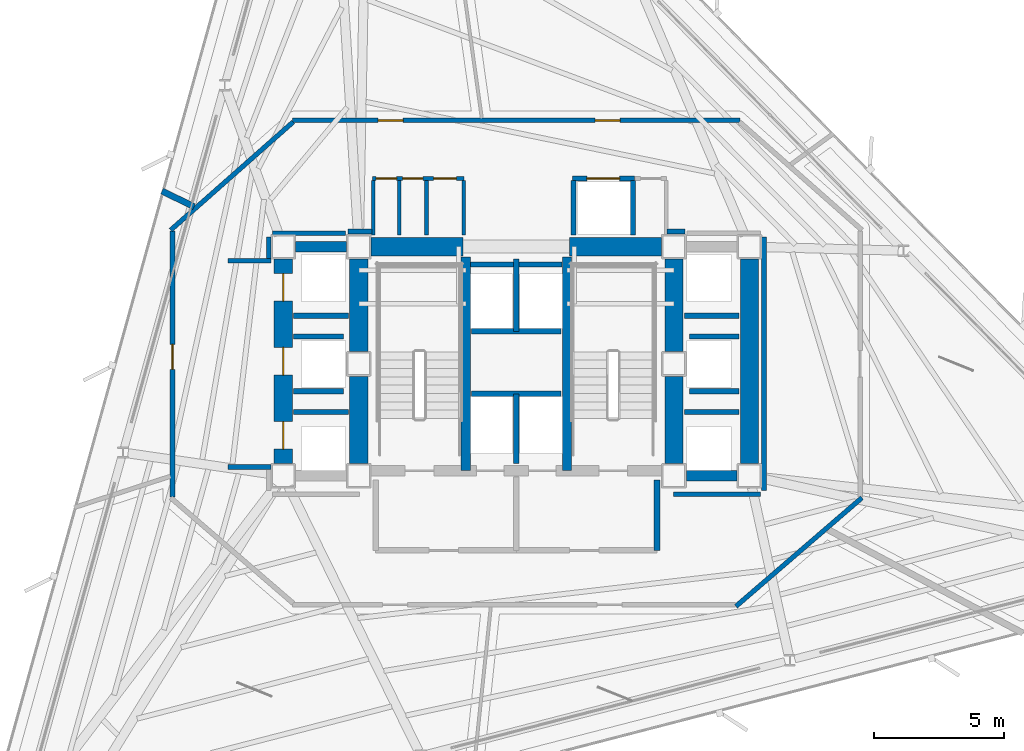
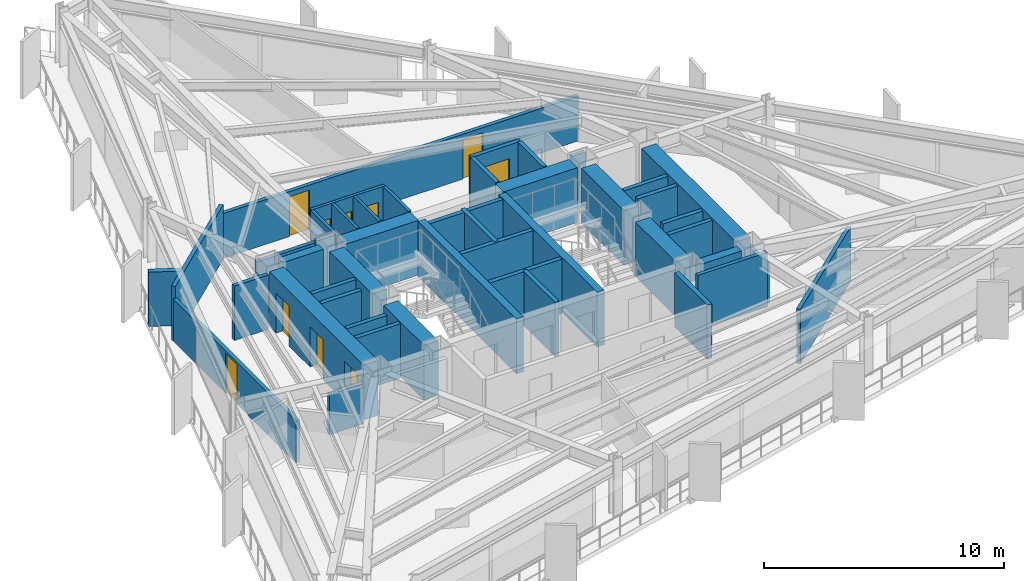
# One storey, part 7 of 11: 47 walls, 10 doors, 10 openings.
"""IFC4 building model written with IfcOpenShell, lengths in metres."""

from ifc_helpers import new_model, si_unit, direction, frame, frame_2d, origin, place, context, subcontext, project, spatial, rectangle, extrude, material, layer, layer_set, type_object, element, fill, save


model = new_model("IFC4")

# Units and contexts
model_context = context("Model", 3, precision=1e-05, world=origin(), true_north=direction((0.0, 1.0)))
body_context = subcontext(model_context, "Body", "Model", "MODEL_VIEW")
ifc_project = project(units=[si_unit("LENGTHUNIT", "METRE"), si_unit("AREAUNIT", "SQUARE_METRE"), si_unit("VOLUMEUNIT", "CUBIC_METRE"), si_unit("PLANEANGLEUNIT", "RADIAN"), si_unit("MASSUNIT", "GRAM", prefix="KILO")], contexts=[model_context])

# Site, building, storey
site_placement = place(None, origin())
site = spatial("IfcSite", under=ifc_project, at=site_placement, CompositionType="ELEMENT")
building_placement = place(site_placement, origin())
building = spatial("IfcBuilding", under=site, at=building_placement, Name="Rocaltana Carrier Exchange", CompositionType="ELEMENT")
storey_placement = place(building_placement, frame((0.0, 0.0, 88.639892578125)))
storey = spatial("IfcBuildingStorey", under=building, at=storey_placement, Name="L27", CompositionType="ELEMENT", Elevation=88.639892578125)

# Walls
ifc_material_1 = material(Name="Concrete C50/60", Category="concrete")
ifc_layer_1 = layer(ifc_material_1, 0.35009765625)
ifc_layer_set_1 = layer_set([ifc_layer_1], Name="Concrete C50/60")
wall_type_1 = type_object("IfcWallType", Name="Core Internal Shear Wall 350", PredefinedType="SHEAR", material=ifc_layer_set_1)
for number, where, z_axis, x_axis, name in (
    (1, (-1.93994140625, -4.10009765625, 0.0), (0.0, 0.0, 1.0), (0.0, 1.0, 0.0), "L27 Core Shear Wall CW-STW"),
    (2, (1.93994140625, -4.10009765625, 0.0), (0.0, 0.0, 1.0), (0.0, 1.0, 0.0), "L27 Core Shear Wall CW-STE"),
):
    element("IfcWall", number, at=place(storey_placement, frame(where, z_axis=z_axis, x_axis=x_axis)), inside=storey, type_object=wall_type_1, Name=name, PredefinedType="SHEAR", context=body_context, shape_type="SweptSolid", body=[
        extrude(rectangle(XDim=8.2001953125, YDim=0.35009765625, at=frame_2d((4.10009765625, 0.0))), origin(), (0.0, 0.0, 1.0), 2.7880859375),
    ])
ifc_material_2 = material(Name="Concrete C50/60", Category="concrete")
ifc_layer_2 = layer(ifc_material_2, 0.39990234375)
ifc_layer_set_2 = layer_set([ifc_layer_2], Name="Concrete C50/60")
wall_type_2 = type_object("IfcWallType", Name="Core Internal Shear Wall 400", PredefinedType="SHEAR", material=ifc_layer_set_2)
for number, where, z_axis, x_axis, name in (
    (3, (-8.47509765625, 4.5, 0.0), (0.0, 0.0, 1.0), (1.0, 0.0, 0.0), "L27 Core Shear Wall CW-WWN"),
    (4, (6.52490234375, -4.300048828125, 0.0), (0.0, 0.0, 1.0), (1.0, 0.0, 0.0), "L27 Core Shear Wall CW-EWS"),
):
    element("IfcWall", number, at=place(storey_placement, frame(where, z_axis=z_axis, x_axis=x_axis)), inside=storey, type_object=wall_type_2, Name=name, PredefinedType="SHEAR", context=body_context, shape_type="SweptSolid", body=[
        extrude(rectangle(XDim=1.9501953125, YDim=0.39990234375, at=frame_2d((0.97509765625, 0.0))), origin(), (0.0, 0.0, 1.0), 2.7880859375),
    ])
ifc_material_3 = material(Name="Concrete C60/75", Category="concrete")
ifc_layer_3 = layer(ifc_material_3, 0.699951171875)
ifc_layer_set_3 = layer_set([ifc_layer_3], Name="Concrete C60/75")
wall_type_3 = type_object("IfcWallType", Name="Core Shear Wall 700", PredefinedType="SHEAR", material=ifc_layer_set_3)
wall_1_placement = place(storey_placement, frame((-6.050048828125, 0.47509765625, 0.0), z_axis=(0.0, 0.0, 1.0), x_axis=(0.0, 1.0, 0.0)))
element("IfcWall", 5, at=wall_1_placement, inside=storey, type_object=wall_type_3, Name="L27 Core Shear Wall CW-WN", PredefinedType="SHEAR", context=body_context, shape_type="SweptSolid", body=[
    extrude(rectangle(XDim=3.5498046875, YDim=0.699951171875, at=frame_2d((1.77490234375, 0.0))), origin(), (0.0, 0.0, 1.0), 2.7880859375),
])
wall_2_placement = place(storey_placement, frame((-6.050048828125, -3.824951171875, 0.0), z_axis=(0.0, 0.0, 1.0), x_axis=(0.0, 1.0, 0.0)))
element("IfcWall", 6, at=wall_2_placement, inside=storey, type_object=wall_type_3, Name="L27 Core Shear Wall CW-WS", PredefinedType="SHEAR", context=body_context, shape_type="SweptSolid", body=[
    extrude(rectangle(XDim=3.349853515625, YDim=0.699951171875, at=frame_2d((1.6748046875, 0.0))), origin(), (0.0, 0.0, 1.0), 2.7880859375),
])
wall_3_placement = place(storey_placement, frame((6.050048828125, 0.47509765625, 0.0), z_axis=(0.0, 0.0, 1.0), x_axis=(0.0, 1.0, 0.0)))
element("IfcWall", 7, at=wall_3_placement, inside=storey, type_object=wall_type_3, Name="L27 Core Shear Wall CW-EN", PredefinedType="SHEAR", context=body_context, shape_type="SweptSolid", body=[
    extrude(rectangle(XDim=3.5498046875, YDim=0.699951171875, at=frame_2d((1.77490234375, 0.0))), origin(), (0.0, 0.0, 1.0), 2.7880859375),
])
wall_4_placement = place(storey_placement, frame((6.050048828125, -3.824951171875, 0.0), z_axis=(0.0, 0.0, 1.0), x_axis=(0.0, 1.0, 0.0)))
element("IfcWall", 8, at=wall_4_placement, inside=storey, type_object=wall_type_3, Name="L27 Core Shear Wall CW-ES", PredefinedType="SHEAR", context=body_context, shape_type="SweptSolid", body=[
    extrude(rectangle(XDim=3.349853515625, YDim=0.699951171875, at=frame_2d((1.6748046875, 0.0))), origin(), (0.0, 0.0, 1.0), 2.7880859375),
])
for number, where, z_axis, x_axis, name in (
    (9, (-5.574951171875, 4.5, 0.0), (0.0, 0.0, 1.0), (1.0, 0.0, 0.0), "L27 Core Shear Wall CW-N1"),
    (10, (2.050048828125, 4.5, 0.0), (0.0, 0.0, 1.0), (1.0, 0.0, 0.0), "L27 Core Shear Wall CW-N2"),
):
    element("IfcWall", number, at=place(storey_placement, frame(where, z_axis=z_axis, x_axis=x_axis)), inside=storey, type_object=wall_type_3, Name=name, PredefinedType="SHEAR", context=body_context, shape_type="SweptSolid", body=[
        extrude(rectangle(XDim=3.52490234375, YDim=0.699951171875, at=frame_2d((1.762451171875, 0.0))), origin(), (0.0, 0.0, 1.0), 2.7880859375),
    ])

# Wall, openings, doors
wall_5_placement = place(storey_placement, frame((-8.949951171875, -3.824951171875, 0.0), z_axis=(0.0, 0.0, 1.0), x_axis=(0.0, 1.0, 0.0)))
wall_5 = element("IfcWall", 11, at=wall_5_placement, inside=storey, type_object=wall_type_3, Name="L27 Core Shear Wall CW-WW", PredefinedType="SHEAR", context=body_context, shape_type="SweptSolid", body=[
    extrude(rectangle(XDim=7.849853515625, YDim=0.699951171875, at=frame_2d((3.9248046875, 0.0))), origin(), (0.0, 0.0, 1.0), 2.7880859375),
])
opening_1_placement = place(wall_5_placement, frame((0.550048828125, 0.0, 0.0)))
opening_1 = element("IfcOpeningElement", 12, at=opening_1_placement, cuts=wall_5, Name="Opening LD-110", PredefinedType="OPENING", context=body_context, shape_type="SweptSolid", body=[
    extrude(rectangle(XDim=1.06005859375, YDim=2.0400390625, at=frame_2d((0.530029296875, 1.02001953125))), frame((0.0, 0.35986328125, 0.0), z_axis=(0.0, -1.0, 0.0), x_axis=(1.0, 0.0, 0.0)), (0.0, 0.0, 1.0), 0.719970703125),
])
opening_2_placement = place(wall_5_placement, frame((3.39501953125, 0.0, 0.0)))
opening_2 = element("IfcOpeningElement", 13, at=opening_2_placement, cuts=wall_5, Name="Opening LD-110", PredefinedType="OPENING", context=body_context, shape_type="SweptSolid", body=[
    extrude(rectangle(XDim=1.06005859375, YDim=2.0400390625, at=frame_2d((0.530029296875, 1.02001953125))), frame((0.0, 0.35986328125, 0.0), z_axis=(0.0, -1.0, 0.0), x_axis=(1.0, 0.0, 0.0)), (0.0, 0.0, 1.0), 0.719970703125),
])
opening_3_placement = place(wall_5_placement, frame((6.22998046875, 0.0, 0.0)))
opening_3 = element("IfcOpeningElement", 14, at=opening_3_placement, cuts=wall_5, Name="Opening LD-110", PredefinedType="OPENING", context=body_context, shape_type="SweptSolid", body=[
    extrude(rectangle(XDim=1.06005859375, YDim=2.0400390625, at=frame_2d((0.530029296875, 1.02001953125))), frame((0.0, 0.35986328125, 0.0), z_axis=(0.0, -1.0, 0.0), x_axis=(1.0, 0.0, 0.0)), (0.0, 0.0, 1.0), 0.719970703125),
])
ifc_material_4 = material(Name="Brushed Stainless Sliding Door Leaf", Category="steel")
door_type_1 = type_object("IfcDoorType", Name="Lift Landing Sliding Door 1060x2040", OperationType="NOTDEFINED", PredefinedType="DOOR", material=ifc_material_4)
door_1_placement = place(opening_1_placement, origin())
door_1 = element("IfcDoor", 15, at=door_1_placement, inside=storey, type_object=door_type_1, Name="L27 Low-Rise Lift PL-L1 Landing Door", OperationType="SLIDING_TO_LEFT", OverallHeight=2.0400390625, OverallWidth=1.06005859375, PredefinedType="DOOR", context=body_context, shape_type="SweptSolid", body=[
    extrude(rectangle(XDim=1.06005859375, YDim=2.0400390625, at=frame_2d((0.530029296875, 1.02001953125))), frame((0.0, 0.02490234375, 0.0), z_axis=(0.0, -1.0, 0.0), x_axis=(1.0, 0.0, 0.0)), (0.0, 0.0, 1.0), 0.050048828125),
])
fill(opening_1, door_1)
door_2_placement = place(opening_2_placement, origin())
door_2 = element("IfcDoor", 16, at=door_2_placement, inside=storey, type_object=door_type_1, Name="L27 Low-Rise Lift PL-L2 Landing Door", OperationType="SLIDING_TO_RIGHT", OverallHeight=2.0400390625, OverallWidth=1.06005859375, PredefinedType="DOOR", context=body_context, shape_type="SweptSolid", body=[
    extrude(rectangle(XDim=1.06005859375, YDim=2.0400390625, at=frame_2d((0.530029296875, 1.02001953125))), frame((0.0, 0.02490234375, 0.0), z_axis=(0.0, -1.0, 0.0), x_axis=(1.0, 0.0, 0.0)), (0.0, 0.0, 1.0), 0.050048828125),
])
fill(opening_2, door_2)
door_3_placement = place(opening_3_placement, origin())
door_3 = element("IfcDoor", 17, at=door_3_placement, inside=storey, type_object=door_type_1, Name="L27 Low-Rise Lift PL-L3 Landing Door", OperationType="SLIDING_TO_LEFT", OverallHeight=2.0400390625, OverallWidth=1.06005859375, PredefinedType="DOOR", context=body_context, shape_type="SweptSolid", body=[
    extrude(rectangle(XDim=1.06005859375, YDim=2.0400390625, at=frame_2d((0.530029296875, 1.02001953125))), frame((0.0, 0.02490234375, 0.0), z_axis=(0.0, -1.0, 0.0), x_axis=(1.0, 0.0, 0.0)), (0.0, 0.0, 1.0), 0.050048828125),
])
fill(opening_3, door_3)

# Wall
wall_6_placement = place(storey_placement, frame((8.949951171875, -3.824951171875, 0.0), z_axis=(0.0, 0.0, 1.0), x_axis=(0.0, 1.0, 0.0)))
element("IfcWall", 18, at=wall_6_placement, inside=storey, type_object=wall_type_3, Name="L27 Core Shear Wall CW-EW", PredefinedType="SHEAR", context=body_context, shape_type="SweptSolid", body=[
    extrude(rectangle(XDim=7.849853515625, YDim=0.699951171875, at=frame_2d((3.9248046875, 0.0))), origin(), (0.0, 0.0, 1.0), 2.7880859375),
])

# Wall, openings, doors
ifc_material_5 = material(Name="Gypsum & Steel Stud Partition", Category="steel")
ifc_layer_4 = layer(ifc_material_5, 0.179931640625)
ifc_layer_set_4 = layer_set([ifc_layer_4], Name="Gypsum & Steel Stud Partition")
wall_type_4 = type_object("IfcWallType", Name="Corridor Fire Partition 180 EI60", PredefinedType="PARTITIONING", material=ifc_layer_set_4)
wall_7_placement = place(storey_placement, frame((-8.590087890625, 9.35009765625, 0.0), z_axis=(0.0, 0.0, 1.0), x_axis=(1.0, 0.0, 0.0)))
wall_7 = element("IfcWall", 19, at=wall_7_placement, inside=storey, type_object=wall_type_4, Name="L27 Corridor Partition 1", PredefinedType="PARTITIONING", context=body_context, shape_type="SweptSolid", body=[
    extrude(rectangle(XDim=17.18017578125, YDim=0.179931640625, at=frame_2d((8.590087890625, 0.0))), origin(), (0.0, 0.0, 1.0), 2.277099609375),
])
opening_4_placement = place(wall_7_placement, frame((11.6123046875, 0.0, 0.0)))
opening_4 = element("IfcOpeningElement", 20, at=opening_4_placement, cuts=wall_7, Name="Opening D-RM098", PredefinedType="OPENING", context=body_context, shape_type="SweptSolid", body=[
    extrude(rectangle(XDim=0.9599609375, YDim=2.02001953125, at=frame_2d((0.47998046875, 1.010009765625))), frame((0.0, 0.099853515625, 0.0), z_axis=(0.0, -1.0, 0.0), x_axis=(1.0, 0.0, 0.0)), (0.0, 0.0, 1.0), 0.199951171875),
])
opening_5_placement = place(wall_7_placement, frame((3.281982421875, 0.0, 0.0)))
opening_5 = element("IfcOpeningElement", 21, at=opening_5_placement, cuts=wall_7, Name="Opening D-RM098", PredefinedType="OPENING", context=body_context, shape_type="SweptSolid", body=[
    extrude(rectangle(XDim=0.9599609375, YDim=2.02001953125, at=frame_2d((0.47998046875, 1.010009765625))), frame((0.0, 0.099853515625, 0.0), z_axis=(0.0, -1.0, 0.0), x_axis=(1.0, 0.0, 0.0)), (0.0, 0.0, 1.0), 0.199951171875),
])
ifc_material_6 = material(Name="Engineered Hardwood Timber", Category="wood")
door_type_2 = type_object("IfcDoorType", Name="Workspace Single Door 960x2020", OperationType="NOTDEFINED", PredefinedType="DOOR", material=ifc_material_6)
door_4_placement = place(opening_4_placement, origin())
door_4 = element("IfcDoor", 22, at=door_4_placement, inside=storey, type_object=door_type_2, Name="L27 Quiet Focus Lounge Entrance Door", OperationType="SINGLE_SWING_RIGHT", OverallHeight=2.02001953125, OverallWidth=0.9599609375, PredefinedType="DOOR", context=body_context, shape_type="SweptSolid", body=[
    extrude(rectangle(XDim=0.9599609375, YDim=2.02001953125, at=frame_2d((0.47998046875, 1.010009765625))), frame((0.0, 0.02490234375, 0.0), z_axis=(0.0, -1.0, 0.0), x_axis=(1.0, 0.0, 0.0)), (0.0, 0.0, 1.0), 0.050048828125),
])
fill(opening_4, door_4)
door_5_placement = place(opening_5_placement, origin())
door_5 = element("IfcDoor", 23, at=door_5_placement, inside=storey, type_object=door_type_2, Name="L27 Peering Conference Room Entrance Door", OperationType="SINGLE_SWING_LEFT", OverallHeight=2.02001953125, OverallWidth=0.9599609375, PredefinedType="DOOR", context=body_context, shape_type="SweptSolid", body=[
    extrude(rectangle(XDim=0.9599609375, YDim=2.02001953125, at=frame_2d((0.47998046875, 1.010009765625))), frame((0.0, 0.02490234375, 0.0), z_axis=(0.0, -1.0, 0.0), x_axis=(1.0, 0.0, 0.0)), (0.0, 0.0, 1.0), 0.050048828125),
])
fill(opening_5, door_5)

# Wall
wall_8_placement = place(storey_placement, frame((13.268310546875, -5.14111328125, 0.0), z_axis=(0.0, 0.0, 1.0), x_axis=(-0.757534501725, -0.65279512766, 0.0)))
element("IfcWall", 24, at=wall_8_placement, inside=storey, type_object=wall_type_4, Name="L27 Corridor Partition 4", PredefinedType="PARTITIONING", context=body_context, shape_type="SweptSolid", body=[
    extrude(rectangle(XDim=6.384521484375, YDim=0.179931640625, at=frame_2d((3.1923828125, 0.0))), origin(), (0.0, 0.0, 1.0), 2.76318359375),
])

# Wall, opening, door
wall_9_placement = place(storey_placement, frame((-13.199951171875, -5.110107421875, 0.0), z_axis=(0.0, 0.0, 1.0), x_axis=(0.0, 1.0, 0.0)))
wall_9 = element("IfcWall", 25, at=wall_9_placement, inside=storey, type_object=wall_type_4, Name="L27 Corridor Partition 7", PredefinedType="PARTITIONING", context=body_context, shape_type="SweptSolid", body=[
    extrude(rectangle(XDim=10.22021484375, YDim=0.179931640625, at=frame_2d((5.110107421875, 0.0))), origin(), (0.0, 0.0, 1.0), 2.14306640625),
])
opening_6_placement = place(wall_9_placement, frame((4.898681640625, 0.0, 0.0)))
opening_6 = element("IfcOpeningElement", 26, at=opening_6_placement, cuts=wall_9, Name="Opening D-RM098", PredefinedType="OPENING", context=body_context, shape_type="SweptSolid", body=[
    extrude(rectangle(XDim=0.9599609375, YDim=2.02001953125, at=frame_2d((0.47998046875, 1.010009765625))), frame((0.0, 0.099853515625, 0.0), z_axis=(0.0, -1.0, 0.0), x_axis=(1.0, 0.0, 0.0)), (0.0, 0.0, 1.0), 0.199951171875),
])
door_6_placement = place(opening_6_placement, origin())
door_6 = element("IfcDoor", 27, at=door_6_placement, inside=storey, type_object=door_type_2, Name="L27 Quiet Focus Lounge Entrance Door", OperationType="SINGLE_SWING_RIGHT", OverallHeight=2.02001953125, OverallWidth=0.9599609375, PredefinedType="DOOR", context=body_context, shape_type="SweptSolid", body=[
    extrude(rectangle(XDim=0.9599609375, YDim=2.02001953125, at=frame_2d((0.47998046875, 1.010009765625))), frame((0.0, 0.02490234375, 0.0), z_axis=(0.0, -1.0, 0.0), x_axis=(1.0, 0.0, 0.0)), (0.0, 0.0, 1.0), 0.050048828125),
])
fill(opening_6, door_6)

# Walls
wall_10_placement = place(storey_placement, frame((-13.267578125, 5.140380859375, 0.0), z_axis=(0.0, 0.0, 1.0), x_axis=(0.749626463267, 0.66186113768, 0.0)))
element("IfcWall", 28, at=wall_10_placement, inside=storey, type_object=wall_type_4, Name="L27 Corridor Partition 8", PredefinedType="PARTITIONING", context=body_context, shape_type="SweptSolid", body=[
    extrude(rectangle(XDim=6.27001953125, YDim=0.179931640625, at=frame_2d((3.135009765625, 0.0))), origin(), (0.0, 0.0, 1.0), 2.76318359375),
])
wall_11_placement = place(storey_placement, frame((-9.510009765625, 4.8701171875, 0.0), z_axis=(0.0, 0.0, 1.0), x_axis=(0.0, -1.0, 0.0)))
element("IfcWall", 29, at=wall_11_placement, inside=storey, type_object=wall_type_4, Name="L27 Corridor Partition 9", PredefinedType="PARTITIONING", context=body_context, shape_type="SweptSolid", body=[
    extrude(rectangle(XDim=0.820068359375, YDim=0.179931640625, at=frame_2d((0.41015625, 0.0))), origin(), (0.0, 0.0, 1.0), 2.277099609375),
])
wall_12_placement = place(storey_placement, frame((-9.419921875, 3.9599609375, 0.0), z_axis=(0.0, 0.0, 1.0), x_axis=(-1.0, 0.0, 0.0)))
element("IfcWall", 30, at=wall_12_placement, inside=storey, type_object=wall_type_4, Name="L27 Corridor Partition 10", PredefinedType="PARTITIONING", context=body_context, shape_type="SweptSolid", body=[
    extrude(rectangle(XDim=1.650146484375, YDim=0.179931640625, at=frame_2d((0.8251953125, 0.0))), origin(), (0.0, 0.0, 1.0), 2.76318359375),
])
wall_13_placement = place(storey_placement, frame((-11.070068359375, -3.9599609375, 0.0), z_axis=(0.0, 0.0, 1.0), x_axis=(1.0, 0.0, 0.0)))
element("IfcWall", 31, at=wall_13_placement, inside=storey, type_object=wall_type_4, Name="L27 Corridor Partition 11", PredefinedType="PARTITIONING", context=body_context, shape_type="SweptSolid", body=[
    extrude(rectangle(XDim=1.650146484375, YDim=0.179931640625, at=frame_2d((0.8251953125, 0.0))), origin(), (0.0, 0.0, 1.0), 2.048095703125),
])
wall_14_placement = place(storey_placement, frame((6.030029296875, -5.010009765625, 0.0), z_axis=(0.0, 0.0, 1.0), x_axis=(1.0, 0.0, 0.0)))
element("IfcWall", 32, at=wall_14_placement, inside=storey, type_object=wall_type_4, Name="L27 Corridor Partition 16", PredefinedType="PARTITIONING", context=body_context, shape_type="SweptSolid", body=[
    extrude(rectangle(XDim=3.340087890625, YDim=0.179931640625, at=frame_2d((1.669921875, 0.0))), origin(), (0.0, 0.0, 1.0), 2.76318359375),
])
wall_15_placement = place(storey_placement, frame((9.510009765625, -4.8701171875, 0.0), z_axis=(0.0, 0.0, 1.0), x_axis=(0.0, 1.0, 0.0)))
element("IfcWall", 33, at=wall_15_placement, inside=storey, type_object=wall_type_4, Name="L27 Corridor Partition 17", PredefinedType="PARTITIONING", context=body_context, shape_type="SweptSolid", body=[
    extrude(rectangle(XDim=9.740234375, YDim=0.179931640625, at=frame_2d((4.8701171875, 0.0))), origin(), (0.0, 0.0, 1.0), 2.048095703125),
])
wall_16_placement = place(storey_placement, frame((6.469970703125, 5.080078125, 0.0), z_axis=(0.0, 0.0, 1.0), x_axis=(-1.0, 0.0, 0.0)))
element("IfcWall", 34, at=wall_16_placement, inside=storey, type_object=wall_type_4, Name="L27 Corridor Partition 19", PredefinedType="PARTITIONING", context=body_context, shape_type="SweptSolid", body=[
    extrude(rectangle(XDim=0.679931640625, YDim=0.179931640625, at=frame_2d((0.33984375, 0.0))), origin(), (0.0, 0.0, 1.0), 2.76318359375),
])
wall_17_placement = place(storey_placement, frame((-5.550048828125, 5.080078125, 0.0), z_axis=(0.0, 0.0, 1.0), x_axis=(-1.0, 0.0, 0.0)))
element("IfcWall", 35, at=wall_17_placement, inside=storey, type_object=wall_type_4, Name="L27 Corridor Partition 22", PredefinedType="PARTITIONING", context=body_context, shape_type="SweptSolid", body=[
    extrude(rectangle(XDim=0.919921875, YDim=0.179931640625, at=frame_2d((0.4599609375, 0.0))), origin(), (0.0, 0.0, 1.0), 2.76318359375),
])
wall_18_placement = place(storey_placement, frame((-6.562255859375, 5.010009765625, 0.0), z_axis=(0.0, 0.0, 1.0), x_axis=(-1.0, 0.0, 0.0)))
element("IfcWall", 36, at=wall_18_placement, inside=storey, type_object=wall_type_4, Name="L27 Corridor Partition 23", PredefinedType="PARTITIONING", context=body_context, shape_type="SweptSolid", body=[
    extrude(rectangle(XDim=2.807861328125, YDim=0.179931640625, at=frame_2d((1.40380859375, 0.0))), origin(), (0.0, 0.0, 1.0), 2.76318359375),
])
ifc_material_7 = material(Name="Autoclaved Aerated Concrete C30/37", Category="concrete")
ifc_layer_5 = layer(ifc_material_7, 0.219970703125)
ifc_layer_set_5 = layer_set([ifc_layer_5], Name="Autoclaved Aerated Concrete C30/37")
wall_type_5 = type_object("IfcWallType", Name="Firefighting Lobby Wall 220 EI120", PredefinedType="PARTITIONING", material=ifc_layer_set_5)
wall_19_placement = place(storey_placement, frame((5.39990234375, -7.159912109375, 0.0), z_axis=(0.0, 0.0, 1.0), x_axis=(0.0, 1.0, 0.0)))
element("IfcWall", 37, at=wall_19_placement, inside=storey, type_object=wall_type_5, Name="L27 FFL Lobby 2 East Wall", PredefinedType="PARTITIONING", context=body_context, shape_type="SweptSolid", body=[
    extrude(rectangle(XDim=2.7099609375, YDim=0.219970703125, at=frame_2d((1.35498046875, 0.0))), origin(), (0.0, 0.0, 1.0), 2.76318359375),
])
ifc_material_8 = material(Name="Acoustic Calcium Silicate Partition", Category="gypsum")
ifc_layer_6 = layer(ifc_material_8, 0.239990234375)
ifc_layer_set_6 = layer_set([ifc_layer_6], Name="Acoustic Calcium Silicate Partition")
wall_type_6 = type_object("IfcWallType", Name="Heavy Lab Partition 240 EI90", PredefinedType="PARTITIONING", material=ifc_layer_set_6)
wall_20_placement = place(storey_placement, frame((-12.37451171875, 6.035400390625, 0.0), z_axis=(0.0, 0.0, 1.0), x_axis=(-0.89872908745, 0.438504307129, 0.0)))
element("IfcWall", 38, at=wall_20_placement, inside=storey, type_object=wall_type_6, Name="L27 Suite Divider Wall D6", PredefinedType="PARTITIONING", context=body_context, shape_type="SweptSolid", body=[
    extrude(rectangle(XDim=1.371337890625, YDim=0.239990234375, at=frame_2d((0.685546875, 0.0))), origin(), (0.0, 0.0, 1.0), 2.76318359375),
])
ifc_material_9 = material(Name="Reinforced Concrete Block C35/45", Category="concrete")
ifc_layer_7 = layer(ifc_material_9, 0.199951171875)
ifc_layer_set_7 = layer_set([ifc_layer_7], Name="Reinforced Concrete Block C35/45")
wall_type_7 = type_object("IfcWallType", Name="Lift Hoistway Enclosure Wall 200 EI120", PredefinedType="PARTITIONING", material=ifc_layer_set_7)
wall_21_placement = place(storey_placement, frame((0.0, -3.820068359375, 0.0), z_axis=(0.0, 0.0, 1.0), x_axis=(0.0, 1.0, 0.0)))
element("IfcWall", 39, at=wall_21_placement, inside=storey, type_object=wall_type_7, Name="L27 FFL Shaft Divider", PredefinedType="PARTITIONING", context=body_context, shape_type="SweptSolid", body=[
    extrude(rectangle(XDim=2.670166015625, YDim=0.199951171875, at=frame_2d((1.3349609375, 0.0))), origin(), (0.0, 0.0, 1.0), 2.76318359375),
])
wall_22_placement = place(storey_placement, frame((-1.719970703125, -1.14990234375, 0.0), z_axis=(0.0, 0.0, 1.0), x_axis=(1.0, 0.0, 0.0)))
element("IfcWall", 40, at=wall_22_placement, inside=storey, type_object=wall_type_7, Name="L27 FFL Shaft Back Wall", PredefinedType="PARTITIONING", context=body_context, shape_type="SweptSolid", body=[
    extrude(rectangle(XDim=3.43994140625, YDim=0.199951171875, at=frame_2d((1.719970703125, 0.0))), origin(), (0.0, 0.0, 1.0), 2.76318359375),
])
wall_23_placement = place(storey_placement, frame((0.0, 1.25, 0.0), z_axis=(0.0, 0.0, 1.0), x_axis=(0.0, 1.0, 0.0)))
element("IfcWall", 41, at=wall_23_placement, inside=storey, type_object=wall_type_7, Name="L27 High-Rise Shaft Divider", PredefinedType="PARTITIONING", context=body_context, shape_type="SweptSolid", body=[
    extrude(rectangle(XDim=2.77001953125, YDim=0.199951171875, at=frame_2d((1.385009765625, 0.0))), origin(), (0.0, 0.0, 1.0), 2.76318359375),
])
wall_24_placement = place(storey_placement, frame((-1.719970703125, 1.25, 0.0), z_axis=(0.0, 0.0, 1.0), x_axis=(1.0, 0.0, 0.0)))
element("IfcWall", 42, at=wall_24_placement, inside=storey, type_object=wall_type_7, Name="L27 High-Rise Shaft Back Wall", PredefinedType="PARTITIONING", context=body_context, shape_type="SweptSolid", body=[
    extrude(rectangle(XDim=3.43994140625, YDim=0.199951171875, at=frame_2d((1.719970703125, 0.0))), origin(), (0.0, 0.0, 1.0), 2.76318359375),
])
wall_25_placement = place(storey_placement, frame((-1.760009765625, 3.820068359375, 0.0), z_axis=(0.0, 0.0, 1.0), x_axis=(1.0, 0.0, 0.0)))
element("IfcWall", 43, at=wall_25_placement, inside=storey, type_object=wall_type_7, Name="L27 High-Rise Lift Front Wall", PredefinedType="PARTITIONING", context=body_context, shape_type="SweptSolid", body=[
    extrude(rectangle(XDim=3.52001953125, YDim=0.199951171875, at=frame_2d((1.760009765625, 0.0))), origin(), (0.0, 0.0, 1.0), 2.76318359375),
])
for number, where, z_axis, x_axis, name in (
    (44, (2.199951171875, 4.949951171875, 0.0), (0.0, 0.0, 1.0), (0.0, 1.0, 0.0), "L27 Goods Lift West Wall"),
    (45, (4.47998046875, 4.949951171875, 0.0), (0.0, 0.0, 1.0), (0.0, 1.0, 0.0), "L27 Goods Lift East Wall"),
):
    element("IfcWall", number, at=place(storey_placement, frame(where, z_axis=z_axis, x_axis=x_axis)), inside=storey, type_object=wall_type_7, Name=name, PredefinedType="PARTITIONING", context=body_context, shape_type="SweptSolid", body=[
        extrude(rectangle(XDim=2.10009765625, YDim=0.199951171875, at=frame_2d((1.050048828125, 0.0))), origin(), (0.0, 0.0, 1.0), 2.76318359375),
    ])

# Wall, opening, door
wall_26_placement = place(storey_placement, frame((2.14990234375, 7.1201171875, 0.0), z_axis=(0.0, 0.0, 1.0), x_axis=(1.0, 0.0, 0.0)))
wall_26 = element("IfcWall", 46, at=wall_26_placement, inside=storey, type_object=wall_type_7, Name="L27 Goods Lift Front Wall", PredefinedType="PARTITIONING", context=body_context, shape_type="SweptSolid", body=[
    extrude(rectangle(XDim=2.380126953125, YDim=0.199951171875, at=frame_2d((1.18994140625, 0.0))), origin(), (0.0, 0.0, 1.0), 2.76318359375),
])
opening_7_placement = place(wall_26_placement, frame((0.56005859375, 0.0, 0.0)))
opening_7 = element("IfcOpeningElement", 47, at=opening_7_placement, cuts=wall_26, Name="Opening LD-130", PredefinedType="OPENING", context=body_context, shape_type="SweptSolid", body=[
    extrude(rectangle(XDim=1.260009765625, YDim=2.06005859375, at=frame_2d((0.6298828125, 1.030029296875))), frame((0.0, 0.10986328125, 0.0), z_axis=(0.0, -1.0, 0.0), x_axis=(1.0, 0.0, 0.0)), (0.0, 0.0, 1.0), 0.219970703125),
])
ifc_material_10 = material(Name="Brushed Stainless Sliding Door Leaf", Category="steel")
door_type_3 = type_object("IfcDoorType", Name="Goods Lift Landing Sliding Door 1260x2060", OperationType="NOTDEFINED", PredefinedType="DOOR", material=ifc_material_10)
door_7_placement = place(opening_7_placement, origin())
door_7 = element("IfcDoor", 48, at=door_7_placement, inside=storey, type_object=door_type_3, Name="L27 Goods Lift GL-1 Landing Door", OperationType="SLIDING_TO_LEFT", OverallHeight=2.06005859375, OverallWidth=1.260009765625, PredefinedType="DOOR", context=body_context, shape_type="SweptSolid", body=[
    extrude(rectangle(XDim=1.260009765625, YDim=2.06005859375, at=frame_2d((0.6298828125, 1.030029296875))), frame((0.0, 0.02490234375, 0.0), z_axis=(0.0, -1.0, 0.0), x_axis=(1.0, 0.0, 0.0)), (0.0, 0.0, 1.0), 0.050048828125),
])
fill(opening_7, door_7)

# Walls
for number, where, z_axis, x_axis, name in (
    (49, (-8.550048828125, -1.85009765625, 0.0), (0.0, 0.0, 1.0), (1.0, 0.0, 0.0), "L27 Low-Rise Shaft Divider 1"),
    (50, (-8.550048828125, 1.85009765625, 0.0), (0.0, 0.0, 1.0), (1.0, 0.0, 0.0), "L27 Low-Rise Shaft Divider 2"),
):
    element("IfcWall", number, at=place(storey_placement, frame(where, z_axis=z_axis, x_axis=x_axis)), inside=storey, type_object=wall_type_7, Name=name, PredefinedType="PARTITIONING", context=body_context, shape_type="SweptSolid", body=[
        extrude(rectangle(XDim=2.10009765625, YDim=0.199951171875, at=frame_2d((1.050048828125, 0.0))), origin(), (0.0, 0.0, 1.0), 2.76318359375),
    ])
for number, where, z_axis, x_axis, name in (
    (51, (-8.550048828125, -1.050048828125, 0.0), (0.0, 0.0, 1.0), (1.0, 0.0, 0.0), "L27 Low-Rise Center Shaft Wall South"),
    (52, (-8.550048828125, 1.050048828125, 0.0), (0.0, 0.0, 1.0), (1.0, 0.0, 0.0), "L27 Low-Rise Center Shaft Wall North"),
):
    element("IfcWall", number, at=place(storey_placement, frame(where, z_axis=z_axis, x_axis=x_axis)), inside=storey, type_object=wall_type_7, Name=name, PredefinedType="PARTITIONING", context=body_context, shape_type="SweptSolid", body=[
        extrude(rectangle(XDim=1.91015625, YDim=0.199951171875, at=frame_2d((0.955078125, 0.0))), origin(), (0.0, 0.0, 1.0), 2.76318359375),
    ])
for number, where, z_axis, x_axis, name in (
    (53, (6.449951171875, -1.85009765625, 0.0), (0.0, 0.0, 1.0), (1.0, 0.0, 0.0), "L27 Mid-Rise Shaft Divider 1"),
    (54, (6.449951171875, 1.85009765625, 0.0), (0.0, 0.0, 1.0), (1.0, 0.0, 0.0), "L27 Mid-Rise Shaft Divider 2"),
):
    element("IfcWall", number, at=place(storey_placement, frame(where, z_axis=z_axis, x_axis=x_axis)), inside=storey, type_object=wall_type_7, Name=name, PredefinedType="PARTITIONING", context=body_context, shape_type="SweptSolid", body=[
        extrude(rectangle(XDim=2.10009765625, YDim=0.199951171875, at=frame_2d((1.050048828125, 0.0))), origin(), (0.0, 0.0, 1.0), 2.76318359375),
    ])
for number, where, z_axis, x_axis, name in (
    (55, (6.639892578125, -1.050048828125, 0.0), (0.0, 0.0, 1.0), (1.0, 0.0, 0.0), "L27 Mid-Rise Center Shaft Wall South"),
    (56, (6.639892578125, 1.050048828125, 0.0), (0.0, 0.0, 1.0), (1.0, 0.0, 0.0), "L27 Mid-Rise Center Shaft Wall North"),
):
    element("IfcWall", number, at=place(storey_placement, frame(where, z_axis=z_axis, x_axis=x_axis)), inside=storey, type_object=wall_type_7, Name=name, PredefinedType="PARTITIONING", context=body_context, shape_type="SweptSolid", body=[
        extrude(rectangle(XDim=1.91015625, YDim=0.199951171875, at=frame_2d((0.955078125, 0.0))), origin(), (0.0, 0.0, 1.0), 2.76318359375),
    ])
ifc_material_11 = material(Name="Moisture-Resistant Masonry C30/37", Category="masonry")
ifc_layer_8 = layer(ifc_material_11, 0.139892578125)
ifc_layer_set_8 = layer_set([ifc_layer_8], Name="Moisture-Resistant Masonry C30/37")
wall_type_8 = type_object("IfcWallType", Name="Wet-Area Sanitary Partition 140", PredefinedType="PARTITIONING", material=ifc_layer_set_8)
for number, where, z_axis, x_axis, name in (
    (57, (-5.5, 4.949951171875, 0.0), (0.0, 0.0, 1.0), (0.0, 1.0, 0.0), "L27 Sanitary West Wall"),
    (58, (-4.5, 4.949951171875, 0.0), (0.0, 0.0, 1.0), (0.0, 1.0, 0.0), "L27 Sanitary Divider 1"),
    (59, (-3.449951171875, 4.949951171875, 0.0), (0.0, 0.0, 1.0), (0.0, 1.0, 0.0), "L27 Sanitary Divider 2"),
    (60, (-2.02001953125, 4.949951171875, 0.0), (0.0, 0.0, 1.0), (0.0, 1.0, 0.0), "L27 Sanitary East Wall"),
):
    element("IfcWall", number, at=place(storey_placement, frame(where, z_axis=z_axis, x_axis=x_axis)), inside=storey, type_object=wall_type_8, Name=name, PredefinedType="PARTITIONING", context=body_context, shape_type="SweptSolid", body=[
        extrude(rectangle(XDim=2.10009765625, YDim=0.139892578125, at=frame_2d((1.050048828125, 0.0))), origin(), (0.0, 0.0, 1.0), 2.76318359375),
    ])

# Wall, openings, doors
wall_27_placement = place(storey_placement, frame((-5.52001953125, 7.1201171875, 0.0), z_axis=(0.0, 0.0, 1.0), x_axis=(1.0, 0.0, 0.0)))
wall_27 = element("IfcWall", 61, at=wall_27_placement, inside=storey, type_object=wall_type_8, Name="L27 Sanitary North Wall", PredefinedType="PARTITIONING", context=body_context, shape_type="SweptSolid", body=[
    extrude(rectangle(XDim=3.52001953125, YDim=0.139892578125, at=frame_2d((1.760009765625, 0.0))), origin(), (0.0, 0.0, 1.0), 2.76318359375),
])
opening_8_placement = place(wall_27_placement, frame((0.139892578125, 0.0, 0.0)))
opening_8 = element("IfcOpeningElement", 62, at=opening_8_placement, cuts=wall_27, Name="Opening D-RS082", PredefinedType="OPENING", context=body_context, shape_type="SweptSolid", body=[
    extrude(rectangle(XDim=0.780029296875, YDim=2.010009765625, at=frame_2d((0.39013671875, 1.0048828125))), frame((0.0, 0.079833984375, 0.0), z_axis=(0.0, -1.0, 0.0), x_axis=(1.0, 0.0, 0.0)), (0.0, 0.0, 1.0), 0.159912109375),
])
opening_9_placement = place(wall_27_placement, frame((1.14990234375, 0.0, 0.0)))
opening_9 = element("IfcOpeningElement", 63, at=opening_9_placement, cuts=wall_27, Name="Opening D-RS082", PredefinedType="OPENING", context=body_context, shape_type="SweptSolid", body=[
    extrude(rectangle(XDim=0.780029296875, YDim=2.010009765625, at=frame_2d((0.39013671875, 1.0048828125))), frame((0.0, 0.079833984375, 0.0), z_axis=(0.0, -1.0, 0.0), x_axis=(1.0, 0.0, 0.0)), (0.0, 0.0, 1.0), 0.159912109375),
])
opening_10_placement = place(wall_27_placement, frame((2.340087890625, 0.0, 0.0)))
opening_10 = element("IfcOpeningElement", 64, at=opening_10_placement, cuts=wall_27, Name="Opening D-WC090", PredefinedType="OPENING", context=body_context, shape_type="SweptSolid", body=[
    extrude(rectangle(XDim=0.8798828125, YDim=2.02001953125, at=frame_2d((0.43994140625, 1.010009765625))), frame((0.0, 0.079833984375, 0.0), z_axis=(0.0, -1.0, 0.0), x_axis=(1.0, 0.0, 0.0)), (0.0, 0.0, 1.0), 0.159912109375),
])
ifc_material_12 = material(Name="High-Pressure Laminate Timber", Category="wood")
door_type_4 = type_object("IfcDoorType", Name="Restroom & Accessible WC Door 880x2020", OperationType="NOTDEFINED", PredefinedType="DOOR", material=ifc_material_12)
door_8_placement = place(opening_10_placement, origin())
door_8 = element("IfcDoor", 65, at=door_8_placement, inside=storey, type_object=door_type_4, Name="L27 Accessible Toilet Door", OperationType="SINGLE_SWING_RIGHT", OverallHeight=2.02001953125, OverallWidth=0.8798828125, PredefinedType="DOOR", context=body_context, shape_type="SweptSolid", body=[
    extrude(rectangle(XDim=0.8798828125, YDim=2.02001953125, at=frame_2d((0.43994140625, 1.010009765625))), frame((0.0, 0.02490234375, 0.0), z_axis=(0.0, -1.0, 0.0), x_axis=(1.0, 0.0, 0.0)), (0.0, 0.0, 1.0), 0.050048828125),
])
fill(opening_10, door_8)
ifc_material_13 = material(Name="Hollow Metal Access Door Leaf", Category="steel")
door_type_5 = type_object("IfcDoorType", Name="Riser & Service Closet Door 780x2010", OperationType="NOTDEFINED", PredefinedType="DOOR", material=ifc_material_13)
door_9_placement = place(opening_8_placement, origin())
door_9 = element("IfcDoor", 66, at=door_9_placement, inside=storey, type_object=door_type_5, Name="L27 Cleaner Store Door", OperationType="SINGLE_SWING_RIGHT", OverallHeight=2.010009765625, OverallWidth=0.780029296875, PredefinedType="DOOR", context=body_context, shape_type="SweptSolid", body=[
    extrude(rectangle(XDim=0.780029296875, YDim=2.010009765625, at=frame_2d((0.39013671875, 1.0048828125))), frame((0.0, 0.02490234375, 0.0), z_axis=(0.0, -1.0, 0.0), x_axis=(1.0, 0.0, 0.0)), (0.0, 0.0, 1.0), 0.050048828125),
])
fill(opening_8, door_9)
door_10_placement = place(opening_9_placement, origin())
door_10 = element("IfcDoor", 67, at=door_10_placement, inside=storey, type_object=door_type_5, Name="L27 Staff Restroom Door", OperationType="SINGLE_SWING_LEFT", OverallHeight=2.010009765625, OverallWidth=0.780029296875, PredefinedType="DOOR", context=body_context, shape_type="SweptSolid", body=[
    extrude(rectangle(XDim=0.780029296875, YDim=2.010009765625, at=frame_2d((0.39013671875, 1.0048828125))), frame((0.0, 0.02490234375, 0.0), z_axis=(0.0, -1.0, 0.0), x_axis=(1.0, 0.0, 0.0)), (0.0, 0.0, 1.0), 0.050048828125),
])
fill(opening_9, door_10)

save(model, "model.ifc")
